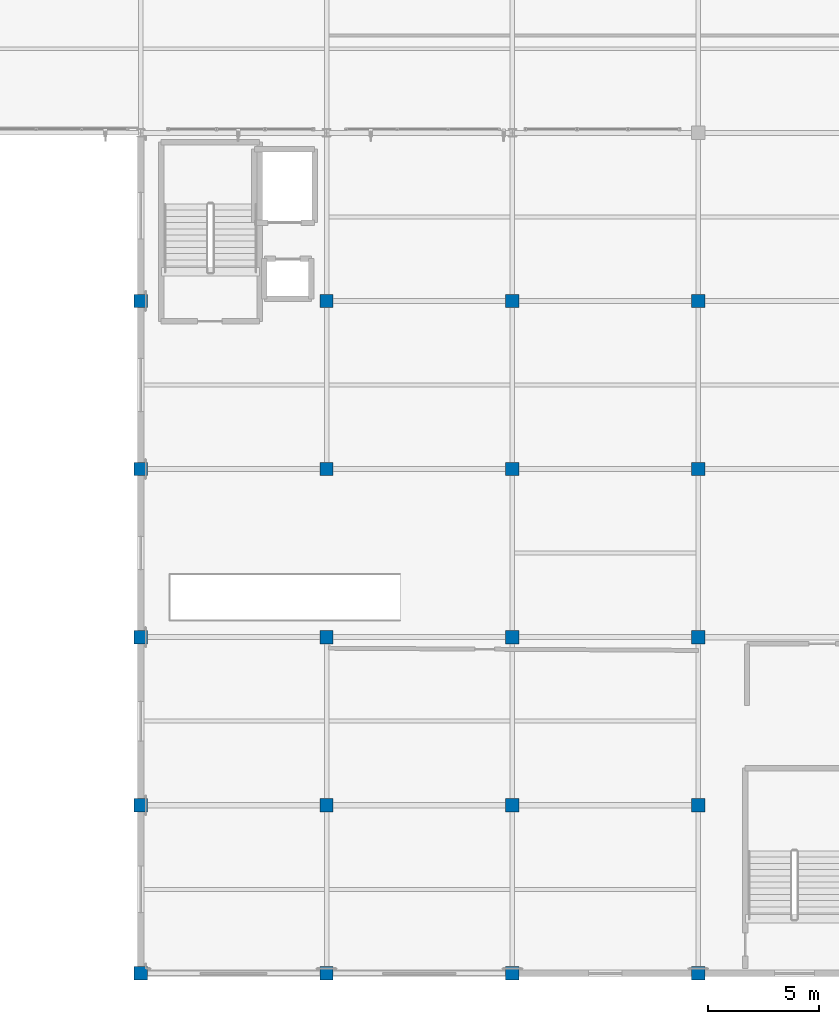
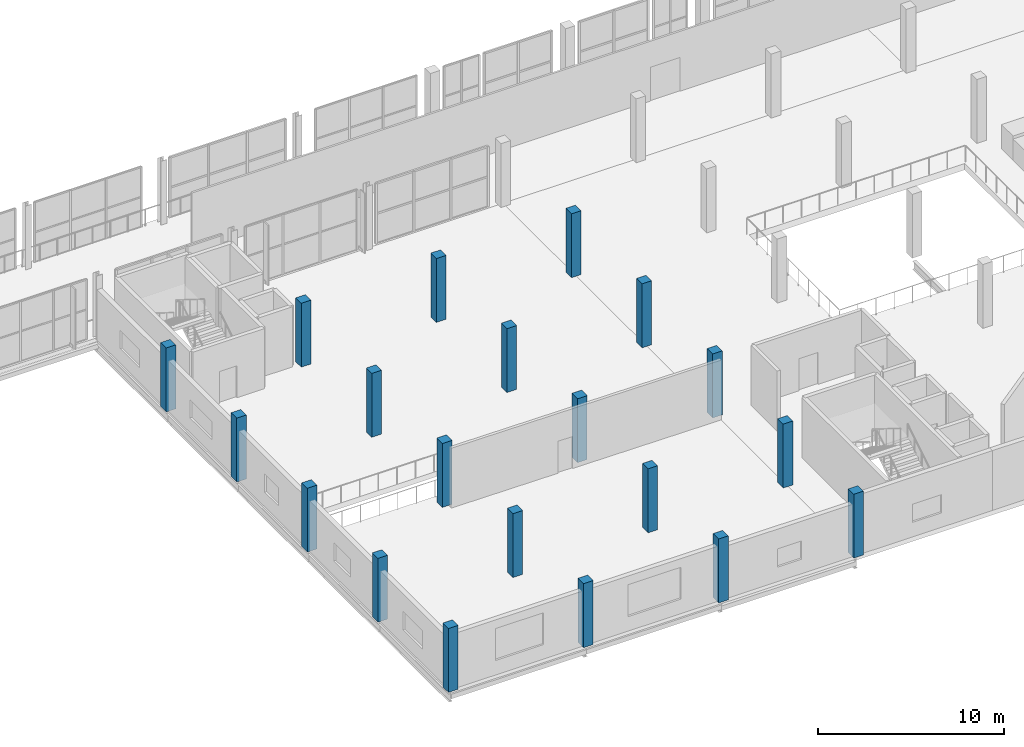
# One storey, part 1 of 217: 20 columns.
"""IFC4 building model written with IfcOpenShell, lengths in metres."""

import ifcopenshell
import ifcopenshell.guid

model = None  # the IFC model being written
_history = None  # IfcOwnerHistory: only IFC2X3 demands one
_inside = {}  # id of a spatial element -> (the spatial element, [elements in it])
_under = {}  # id of a project, library or spatial element -> (it, [spatial elements below it])
_declared = {}  # id of a project -> (the project, [libraries it declares])
_typed = {}  # id of a type object -> (the type object, [elements of that type])
_made_of = {}  # id of a material, layer set ... -> (it, [elements and type objects made of it])


def new_model(schema):
    """Start an empty IFC model of exactly this schema.

    Asked for "IFC4X3", IfcOpenShell would pick the latest addendum, in which some entities
    have other attributes; the version numbers below select the first issue.
    IFC2X3 requires an IfcOwnerHistory on every rooted entity: one is made here for all.
    """
    global model, _history
    if schema == "IFC4X3":
        model = ifcopenshell.file(schema_version=(4, 3, 0, 0))
    else:
        model = ifcopenshell.file(schema=schema)
    _inside.clear()
    _under.clear()
    _declared.clear()
    _typed.clear()
    _made_of.clear()
    _history = None
    if model.schema == "IFC2X3":
        org = make("IfcOrganization", Name="unknown")
        user = make(
            "IfcPersonAndOrganization",
            ThePerson=make("IfcPerson", FamilyName="unknown"),
            TheOrganization=org,
        )
        app = make(
            "IfcApplication",
            ApplicationDeveloper=org,
            Version="unknown",
            ApplicationFullName="unknown",
            ApplicationIdentifier="unknown",
        )
        _history = make(
            "IfcOwnerHistory",
            OwningUser=user,
            OwningApplication=app,
            ChangeAction="ADDED",
            CreationDate=0,
        )
    return model


def make(cls, **values):
    """One entity of the class cls with the attributes given. An attribute that is None is left unset."""
    return model.create_entity(
        cls, **{name: value for name, value in values.items() if value is not None}
    )


def rooted(cls, **values):
    """An entity with a GlobalId (a new one), such as an element, a storey or a relation."""
    return make(cls, GlobalId=ifcopenshell.guid.new(), OwnerHistory=_history, **values)


def si_unit(unit_type, name, prefix=None):
    """IfcSIUnit, for example si_unit("LENGTHUNIT", "METRE", prefix="MILLI")."""
    return make("IfcSIUnit", UnitType=unit_type, Prefix=prefix, Name=name)


def assignment(units):
    """IfcUnitAssignment: the units of a project."""
    return None if units is None else make("IfcUnitAssignment", Units=units)


def point(xyz):
    """IfcCartesianPoint."""
    return None if xyz is None else make("IfcCartesianPoint", Coordinates=xyz)


def direction(xyz):
    """IfcDirection."""
    return None if xyz is None else make("IfcDirection", DirectionRatios=xyz)


def frame(location, z_axis=None, x_axis=None):
    """IfcAxis2Placement3D, a coordinate frame: its origin and axes. An axis left out is left unset."""
    return make(
        "IfcAxis2Placement3D",
        Location=point(location),
        Axis=direction(z_axis),
        RefDirection=direction(x_axis),
    )


def frame_2d(location, x_axis=None):
    """IfcAxis2Placement2D, a coordinate frame in the plane: its origin and x axis."""
    return make(
        "IfcAxis2Placement2D", Location=point(location), RefDirection=direction(x_axis)
    )


def origin():
    """The frame at (0, 0, 0) with its axes left unset."""
    return frame((0.0, 0.0, 0.0))


def origin_2d():
    """The frame at (0, 0) in the plane with its x axis left unset."""
    return frame_2d((0.0, 0.0))


def place(relative_to, where):
    """IfcLocalPlacement: puts the frame where relative to a parent placement (None: the world)."""
    return make(
        "IfcLocalPlacement", PlacementRelTo=relative_to, RelativePlacement=where
    )


def context(
    kind, dimensions, precision=None, world=None, true_north=None, identifier=None
):
    """IfcGeometricRepresentationContext, for example the 3D "Model" context."""
    return make(
        "IfcGeometricRepresentationContext",
        ContextIdentifier=identifier,
        ContextType=kind,
        CoordinateSpaceDimension=dimensions,
        Precision=precision,
        WorldCoordinateSystem=world,
        TrueNorth=true_north,
    )


def subcontext(parent, identifier, kind, view, scale=None):
    """IfcGeometricRepresentationSubContext, for example "Body" below "Model"."""
    return make(
        "IfcGeometricRepresentationSubContext",
        ContextIdentifier=identifier,
        ContextType=kind,
        ParentContext=parent,
        TargetScale=scale,
        TargetView=view,
    )


def project(units=None, contexts=None):
    """IfcProject with its units and contexts."""
    return rooted(
        "IfcProject",
        Name="project",
        RepresentationContexts=contexts,
        UnitsInContext=assignment(units),
    )


def spatial(cls, under=None, at=None, **own):
    """A site, building, storey or space (cls), placed at a placement, below another one or the project."""
    s = rooted(cls, ObjectPlacement=at, **own)
    if under is not None:
        _under.setdefault(under.id(), (under, []))[1].append(s)
    return s


def profile(cls, at=None, kind="AREA", **sizes):
    """A parametric profile (cls). Its sizes go by their IFC names, for example OverallWidth=200.0."""
    return make(cls, ProfileType=kind, Position=at, **sizes)


def rectangle(**sizes):
    """IfcRectangleProfileDef."""
    return profile("IfcRectangleProfileDef", **sizes)


def extrude(swept, where, along, depth):
    """IfcExtrudedAreaSolid: the profile swept, set in the frame where, extruded along a direction by depth."""
    return make(
        "IfcExtrudedAreaSolid",
        SweptArea=swept,
        Position=where,
        ExtrudedDirection=direction(along),
        Depth=depth,
    )


def shape(context_of_items, identifier, shape_type, items):
    """IfcShapeRepresentation: the items that make up one representation, for example the "Body"."""
    return make(
        "IfcShapeRepresentation",
        ContextOfItems=context_of_items,
        RepresentationIdentifier=identifier,
        RepresentationType=shape_type,
        Items=items,
    )


def material(Name=None, Category=None):
    """IfcMaterial."""
    return make("IfcMaterial", Name=Name, Category=Category)


def material_profile(
    of_material, cross_section, Name=None, Category=None, Priority=None
):
    """IfcMaterialProfile: a cross section and its material."""
    return make(
        "IfcMaterialProfile",
        Name=Name,
        Material=of_material,
        Profile=cross_section,
        Priority=Priority,
        Category=Category,
    )


def profile_set(profiles, Name=None, composite=None):
    """IfcMaterialProfileSet."""
    return make(
        "IfcMaterialProfileSet",
        Name=Name,
        MaterialProfiles=profiles,
        CompositeProfile=composite,
    )


def made_of(thing, what):
    """Note that an element or type object is made of a material, layer set ...; save() writes the relation."""
    if what is not None:
        _made_of.setdefault(what.id(), (what, []))[1].append(thing)
    return thing


def type_object(cls, material=None, **own):
    """A type object (cls), such as IfcWallType, which elements share."""
    return made_of(rooted(cls, **own), material)


def element(
    cls,
    number,
    at=None,
    inside=None,
    cuts=None,
    type_object=None,
    material=None,
    context=None,
    identifier="Body",
    shape_type=None,
    held_by="IfcProductDefinitionShape",
    body=None,
    shapes=None,
    **own,
):
    """One element of the class cls, such as IfcWall. Its Tag is "e" and its number.

    at: its placement. inside: the storey or other place that contains it. cuts: it is an
    opening in that element (IfcRelVoidsElement). A single representation is given by context,
    identifier, shape_type and body (its items); several are given by shapes. held_by: the class
    of the entity that holds the representations. save() writes the other relations.
    """
    e = rooted(cls, Tag="e%d" % number, ObjectPlacement=at, **own)
    if body is not None:
        shapes = [shape(context, identifier, shape_type, body)]
    if shapes is not None:
        e.Representation = make(held_by, Representations=shapes)
    if inside is not None:
        _inside.setdefault(inside.id(), (inside, []))[1].append(e)
    if cuts is not None:
        rooted(
            "IfcRelVoidsElement", RelatingBuildingElement=cuts, RelatedOpeningElement=e
        )
    if type_object is not None:
        _typed.setdefault(type_object.id(), (type_object, []))[1].append(e)
    return made_of(e, material)


def aggregate(whole, parts):
    """IfcRelAggregates: a whole, such as a stair, and the parts it consists of."""
    return rooted("IfcRelAggregates", RelatingObject=whole, RelatedObjects=parts)


def save(model, path):
    """Write the relations noted so far, then the file.

    IfcRelAggregates (storeys below a building ...), IfcRelContainedInSpatialStructure (elements
    in a storey), IfcRelDefinesByType, IfcRelAssociatesMaterial and IfcRelDeclares: one each for
    every whole, place, type object, material and project.
    """
    for whole, parts in _under.values():
        aggregate(whole, parts)
    for where, things in _inside.values():
        rooted(
            "IfcRelContainedInSpatialStructure",
            RelatedElements=things,
            RelatingStructure=where,
        )
    for kind, things in _typed.values():
        rooted("IfcRelDefinesByType", RelatedObjects=things, RelatingType=kind)
    for what, things in _made_of.values():
        rooted("IfcRelAssociatesMaterial", RelatedObjects=things, RelatingMaterial=what)
    for by, libraries in _declared.values():
        rooted("IfcRelDeclares", RelatingContext=by, RelatedDefinitions=libraries)
    model.write(path)


model = new_model("IFC4")

# Units and contexts
model_context = context("Model", 3, precision=1e-05, world=origin(), true_north=direction((0.0, 1.0)))
body_context = subcontext(model_context, "Body", "Model", "MODEL_VIEW")
ifc_project = project(units=[si_unit("LENGTHUNIT", "METRE"), si_unit("AREAUNIT", "SQUARE_METRE"), si_unit("VOLUMEUNIT", "CUBIC_METRE"), si_unit("PLANEANGLEUNIT", "RADIAN"), si_unit("MASSUNIT", "GRAM", prefix="KILO")], contexts=[model_context])

# Site, building, storey
site_placement = place(None, origin())
site = spatial("IfcSite", under=ifc_project, at=site_placement, CompositionType="ELEMENT")
building_placement = place(site_placement, origin())
building = spatial("IfcBuilding", under=site, at=building_placement, Name="Zuvorla Pavilion Media Centre", CompositionType="ELEMENT")
storey_placement = place(building_placement, frame((0.0, 0.0, 9.60009765625)))
storey = spatial("IfcBuildingStorey", under=building, at=storey_placement, Name="L02", CompositionType="ELEMENT", Elevation=9.60009765625)

# Columns
ifc_material = material(Name="Concrete C40/50", Category="concrete")
ifc_material_profile = material_profile(ifc_material, rectangle(XDim=0.60009765625, YDim=0.60009765625, at=origin_2d()), Name="RC 600x600")
ifc_profile_set = profile_set([ifc_material_profile], Name="Concrete C40/50")
column_type = type_object("IfcColumnType", Name="COL-RC600", PredefinedType="COLUMN", material=ifc_profile_set)
for number, where, z_axis, x_axis, name in (
    (1, (41.60009765625, 6.0, 0.0), (0.0, 0.0, 1.0), (1.0, 0.0, 0.0), "L02 column C03 13"),
    (2, (50.0, 6.0, 0.0), (0.0, 0.0, 1.0), (1.0, 0.0, 0.0), "L02 column C03 18"),
    (3, (58.39990234375, 6.0, 0.0), (0.0, 0.0, 1.0), (1.0, 0.0, 0.0), "L02 column C03 23"),
    (4, (66.800048828125, 6.0, 0.0), (0.0, 0.0, 1.0), (1.0, 0.0, 0.0), "L02 column C03 28"),
    (5, (41.60009765625, 13.60009765625, 0.0), (0.0, 0.0, 1.0), (1.0, 0.0, 0.0), "L02 column C03 111"),
    (6, (50.0, 13.60009765625, 0.0), (0.0, 0.0, 1.0), (1.0, 0.0, 0.0), "L02 column C03 116"),
    (7, (58.39990234375, 13.60009765625, 0.0), (0.0, 0.0, 1.0), (1.0, 0.0, 0.0), "L02 column C03 121"),
    (8, (66.800048828125, 13.60009765625, 0.0), (0.0, 0.0, 1.0), (1.0, 0.0, 0.0), "L02 column C03 126"),
    (9, (41.60009765625, 21.199951171875, 0.0), (0.0, 0.0, 1.0), (1.0, 0.0, 0.0), "L02 column C03 209"),
    (10, (50.0, 21.199951171875, 0.0), (0.0, 0.0, 1.0), (1.0, 0.0, 0.0), "L02 column C03 215"),
    (11, (58.39990234375, 21.199951171875, 0.0), (0.0, 0.0, 1.0), (1.0, 0.0, 0.0), "L02 column C03 221"),
    (12, (66.800048828125, 21.199951171875, 0.0), (0.0, 0.0, 1.0), (1.0, 0.0, 0.0), "L02 column C03 227"),
    (13, (41.60009765625, 28.800048828125, 0.0), (0.0, 0.0, 1.0), (1.0, 0.0, 0.0), "L02 column C03 296"),
    (14, (50.0, 28.800048828125, 0.0), (0.0, 0.0, 1.0), (1.0, 0.0, 0.0), "L02 column C03 302"),
    (15, (58.39990234375, 28.800048828125, 0.0), (0.0, 0.0, 1.0), (1.0, 0.0, 0.0), "L02 column C03 308"),
    (16, (66.800048828125, 28.800048828125, 0.0), (0.0, 0.0, 1.0), (1.0, 0.0, 0.0), "L02 column C03 314"),
    (17, (41.60009765625, 36.39990234375, 0.0), (0.0, 0.0, 1.0), (1.0, 0.0, 0.0), "L02 column C03 386"),
    (18, (50.0, 36.39990234375, 0.0), (0.0, 0.0, 1.0), (1.0, 0.0, 0.0), "L02 column C03 392"),
    (19, (58.39990234375, 36.39990234375, 0.0), (0.0, 0.0, 1.0), (1.0, 0.0, 0.0), "L02 column C03 398"),
    (20, (66.800048828125, 36.39990234375, 0.0), (0.0, 0.0, 1.0), (1.0, 0.0, 0.0), "L02 column C03 404"),
):
    element("IfcColumn", number, at=place(storey_placement, frame(where, z_axis=z_axis, x_axis=x_axis)), inside=storey, type_object=column_type, Name=name, PredefinedType="COLUMN", context=body_context, shape_type="SweptSolid", body=[
        extrude(rectangle(XDim=0.60009765625, YDim=0.60009765625, at=origin_2d()), origin(), (0.0, 0.0, 1.0), 4.199951171875),
    ])

save(model, "model.ifc")
